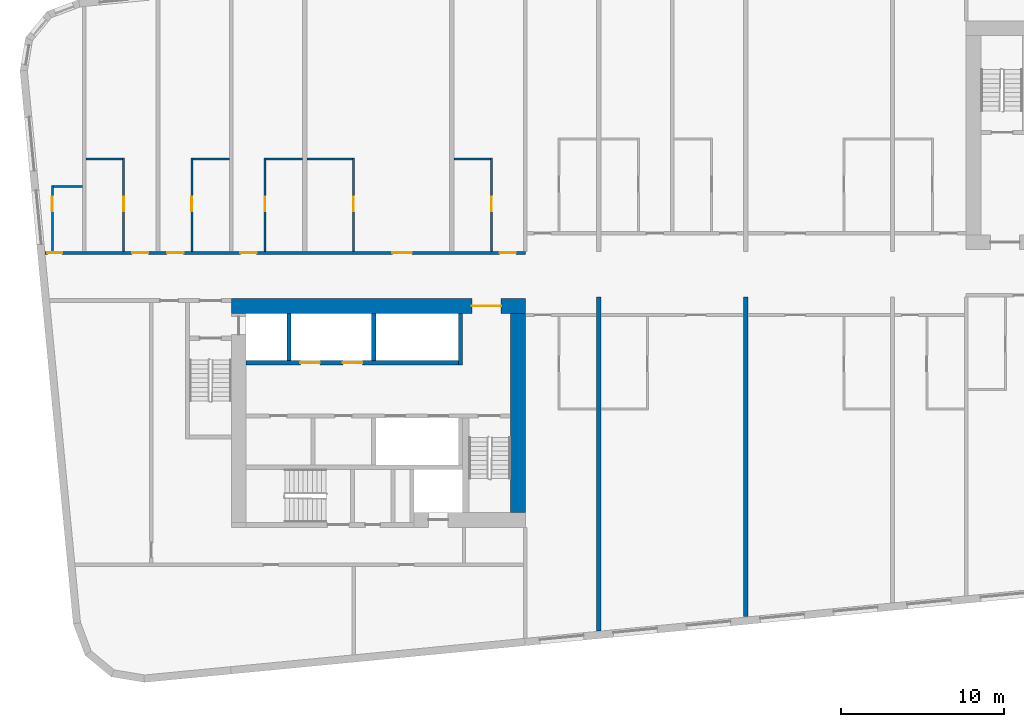
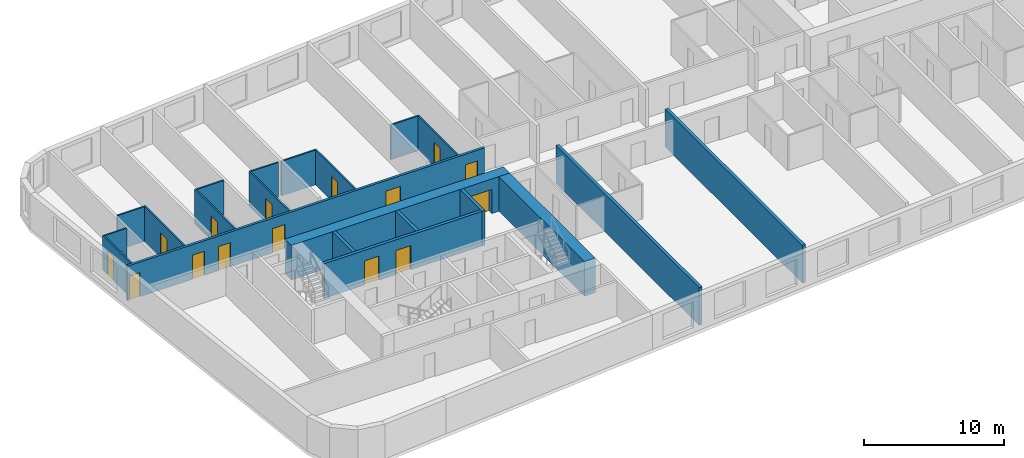
# One storey, part 3 of 12: 21 walls, 15 doors, 15 openings.
"""IFC4 building model written with IfcOpenShell, lengths in metres."""

from ifc_helpers import new_model, si_unit, direction, frame, frame_2d, origin, place, context, subcontext, project, spatial, rectangle, extrude, material, layer, layer_set, type_object, element, fill, save


model = new_model("IFC4")

# Units and contexts
model_context = context("Model", 3, precision=1e-05, world=origin(), true_north=direction((0.0, 1.0)))
body_context = subcontext(model_context, "Body", "Model", "MODEL_VIEW")
ifc_project = project(units=[si_unit("LENGTHUNIT", "METRE"), si_unit("AREAUNIT", "SQUARE_METRE"), si_unit("VOLUMEUNIT", "CUBIC_METRE"), si_unit("PLANEANGLEUNIT", "RADIAN"), si_unit("MASSUNIT", "GRAM", prefix="KILO")], contexts=[model_context])

# Site, building, storey
site_placement = place(None, origin())
site = spatial("IfcSite", under=ifc_project, at=site_placement, CompositionType="ELEMENT")
building_placement = place(site_placement, origin())
building = spatial("IfcBuilding", under=site, at=building_placement, Name="Kajstack Hotel Tower", CompositionType="ELEMENT")
storey_placement = place(building_placement, frame((0.0, 0.0, 170.199951171875)))
storey = spatial("IfcBuildingStorey", under=building, at=storey_placement, Name="L39", CompositionType="ELEMENT", Elevation=170.199951171875)

# Wall, opening, door
ifc_material_1 = material(Name="Concrete C60/75", Category="concrete")
ifc_layer_1 = layer(ifc_material_1, 0.89990234375)
ifc_layer_set_1 = layer_set([ifc_layer_1], Name="Core wall 900")
wall_type_1 = type_object("IfcWallType", Name="Core wall 900", PredefinedType="SHEAR", material=ifc_layer_set_1)
wall_1_placement = place(storey_placement, frame((-31.5, -1.949951171875, 0.0), z_axis=(0.0, 0.0, 1.0), x_axis=(1.0, 0.0, 0.0)))
wall_1 = element("IfcWall", 1, at=wall_1_placement, inside=storey, type_object=wall_type_1, Name="Core wall W RN", PredefinedType="SHEAR", context=body_context, shape_type="SweptSolid", body=[
    extrude(rectangle(XDim=18.0, YDim=0.89990234375, at=frame_2d((9.0, 0.0))), origin(), (0.0, 0.0, 1.0), 3.02001953125),
])
opening_1_placement = place(wall_1_placement, frame((14.72509765625, 0.0, 0.0)))
opening_1 = element("IfcOpeningElement", 2, at=opening_1_placement, cuts=wall_1, Name="Opening 39W07", PredefinedType="OPENING", context=body_context, shape_type="SweptSolid", body=[
    extrude(rectangle(XDim=1.800048828125, YDim=2.10009765625, at=frame_2d((0.89990234375, 1.050048828125))), frame((0.0, 0.4599609375, 0.0), z_axis=(0.0, -1.0, 0.0), x_axis=(1.0, 0.0, 0.0)), (0.0, 0.0, 1.0), 0.919921875),
])
ifc_material_2 = material(Name="Glazed steel frame, fire-rated glass", Category="steel")
door_type_1 = type_object("IfcDoorType", Name="Lobby double door 1800", OperationType="DOUBLE_DOOR_DOUBLE_SWING", PredefinedType="DOOR", material=ifc_material_2)
door_1_placement = place(opening_1_placement, origin())
door_1 = element("IfcDoor", 3, at=door_1_placement, inside=storey, type_object=door_type_1, Name="Door 39W07", OperationType="DOUBLE_DOOR_DOUBLE_SWING", OverallHeight=2.10009765625, OverallWidth=1.800048828125, PredefinedType="DOOR", context=body_context, shape_type="SweptSolid", body=[
    extrude(rectangle(XDim=1.800048828125, YDim=2.10009765625, at=frame_2d((0.89990234375, 1.050048828125))), frame((0.0, 0.02490234375, 0.0), z_axis=(0.0, -1.0, 0.0), x_axis=(1.0, 0.0, 0.0)), (0.0, 0.0, 1.0), 0.050048828125),
])
fill(opening_1, door_1)

# Wall
wall_2_placement = place(storey_placement, frame((-13.949951171875, -14.60009765625, 0.0), z_axis=(0.0, 0.0, 1.0), x_axis=(0.0, 1.0, 0.0)))
element("IfcWall", 4, at=wall_2_placement, inside=storey, type_object=wall_type_1, Name="Core wall W RE", PredefinedType="SHEAR", context=body_context, shape_type="SweptSolid", body=[
    extrude(rectangle(XDim=12.2001953125, YDim=0.89990234375, at=frame_2d((6.10009765625, 0.0))), origin(), (0.0, 0.0, 1.0), 3.02001953125),
])

# Wall, openings, doors
ifc_material_3 = material(Name="Gypsum board on steel studs, mineral wool", Category="steel")
ifc_layer_2 = layer(ifc_material_3, 0.199951171875)
ifc_layer_set_2 = layer_set([ifc_layer_2], Name="Corridor wall 200")
wall_type_2 = type_object("IfcWallType", Name="Corridor wall 200", PredefinedType="PARTITIONING", material=ifc_layer_set_2)
wall_3_placement = place(storey_placement, frame((-42.9130859375, 1.300048828125, 0.0), z_axis=(0.0, 0.0, 1.0), x_axis=(1.0, 0.0, 0.0)))
wall_3 = element("IfcWall", 5, at=wall_3_placement, inside=storey, type_object=wall_type_2, Name="G-wall-L39-003", PredefinedType="PARTITIONING", context=body_context, shape_type="SweptSolid", body=[
    extrude(rectangle(XDim=29.4130859375, YDim=0.199951171875, at=frame_2d((14.70654296875, 0.0))), origin(), (0.0, 0.0, 1.0), 3.02001953125),
])
opening_2_placement = place(wall_3_placement, frame((0.14990234375, 0.0, 0.0)))
opening_2 = element("IfcOpeningElement", 6, at=opening_2_placement, cuts=wall_3, Name="Opening 39001", PredefinedType="OPENING", context=body_context, shape_type="SweptSolid", body=[
    extrude(rectangle(XDim=0.89990234375, YDim=2.10009765625, at=frame_2d((0.449951171875, 1.050048828125))), frame((0.0, 0.10986328125, 0.0), z_axis=(0.0, -1.0, 0.0), x_axis=(1.0, 0.0, 0.0)), (0.0, 0.0, 1.0), 0.219970703125),
])
opening_3_placement = place(wall_3_placement, frame((5.337890625, 0.0, 0.0)))
opening_3 = element("IfcOpeningElement", 7, at=opening_3_placement, cuts=wall_3, Name="Opening 39003", PredefinedType="OPENING", context=body_context, shape_type="SweptSolid", body=[
    extrude(rectangle(XDim=1.0, YDim=2.10009765625, at=frame_2d((0.5, 1.050048828125))), frame((0.0, 0.10986328125, 0.0), z_axis=(0.0, -1.0, 0.0), x_axis=(1.0, 0.0, 0.0)), (0.0, 0.0, 1.0), 0.219970703125),
])
opening_4_placement = place(wall_3_placement, frame((7.488037109375, 0.0, 0.0)))
opening_4 = element("IfcOpeningElement", 8, at=opening_4_placement, cuts=wall_3, Name="Opening 39005", PredefinedType="OPENING", context=body_context, shape_type="SweptSolid", body=[
    extrude(rectangle(XDim=1.0, YDim=2.10009765625, at=frame_2d((0.5, 1.050048828125))), frame((0.0, 0.10986328125, 0.0), z_axis=(0.0, -1.0, 0.0), x_axis=(1.0, 0.0, 0.0)), (0.0, 0.0, 1.0), 0.219970703125),
])
opening_5_placement = place(wall_3_placement, frame((11.962890625, 0.0, 0.0)))
opening_5 = element("IfcOpeningElement", 9, at=opening_5_placement, cuts=wall_3, Name="Opening 39007", PredefinedType="OPENING", context=body_context, shape_type="SweptSolid", body=[
    extrude(rectangle(XDim=1.0, YDim=2.10009765625, at=frame_2d((0.5, 1.050048828125))), frame((0.0, 0.10986328125, 0.0), z_axis=(0.0, -1.0, 0.0), x_axis=(1.0, 0.0, 0.0)), (0.0, 0.0, 1.0), 0.219970703125),
])
opening_6_placement = place(wall_3_placement, frame((21.27490234375, 0.0, 0.0)))
opening_6 = element("IfcOpeningElement", 10, at=opening_6_placement, cuts=wall_3, Name="Opening 39009", PredefinedType="OPENING", context=body_context, shape_type="SweptSolid", body=[
    extrude(rectangle(XDim=1.199951171875, YDim=2.10009765625, at=frame_2d((0.60009765625, 1.050048828125))), frame((0.0, 0.10986328125, 0.0), z_axis=(0.0, -1.0, 0.0), x_axis=(1.0, 0.0, 0.0)), (0.0, 0.0, 1.0), 0.219970703125),
])
opening_7_placement = place(wall_3_placement, frame((27.837890625, 0.0, 0.0)))
opening_7 = element("IfcOpeningElement", 11, at=opening_7_placement, cuts=wall_3, Name="Opening 39011", PredefinedType="OPENING", context=body_context, shape_type="SweptSolid", body=[
    extrude(rectangle(XDim=1.0, YDim=2.10009765625, at=frame_2d((0.5, 1.050048828125))), frame((0.0, 0.10986328125, 0.0), z_axis=(0.0, -1.0, 0.0), x_axis=(1.0, 0.0, 0.0)), (0.0, 0.0, 1.0), 0.219970703125),
])
ifc_material_4 = material(Name="Oak veneer on timber core, fire-rated leaf", Category="wood")
door_type_2 = type_object("IfcDoorType", Name="Flat entrance door 1000", OperationType="SINGLE_SWING_LEFT", PredefinedType="DOOR", material=ifc_material_4)
door_2_placement = place(opening_3_placement, origin())
door_2 = element("IfcDoor", 12, at=door_2_placement, inside=storey, type_object=door_type_2, Name="G-door-L39-03", OperationType="SINGLE_SWING_LEFT", OverallHeight=2.10009765625, OverallWidth=1.0, PredefinedType="DOOR", context=body_context, shape_type="SweptSolid", body=[
    extrude(rectangle(XDim=1.0, YDim=2.10009765625, at=frame_2d((0.5, 1.050048828125))), frame((0.0, 0.02490234375, 0.0), z_axis=(0.0, -1.0, 0.0), x_axis=(1.0, 0.0, 0.0)), (0.0, 0.0, 1.0), 0.050048828125),
])
fill(opening_3, door_2)
door_3_placement = place(opening_4_placement, origin())
door_3 = element("IfcDoor", 13, at=door_3_placement, inside=storey, type_object=door_type_2, Name="G-door-L39-05", OperationType="SINGLE_SWING_RIGHT", OverallHeight=2.10009765625, OverallWidth=1.0, PredefinedType="DOOR", context=body_context, shape_type="SweptSolid", body=[
    extrude(rectangle(XDim=1.0, YDim=2.10009765625, at=frame_2d((0.5, 1.050048828125))), frame((0.0, 0.02490234375, 0.0), z_axis=(0.0, -1.0, 0.0), x_axis=(1.0, 0.0, 0.0)), (0.0, 0.0, 1.0), 0.050048828125),
])
fill(opening_4, door_3)
door_4_placement = place(opening_5_placement, origin())
door_4 = element("IfcDoor", 14, at=door_4_placement, inside=storey, type_object=door_type_2, Name="G-door-L39-07", OperationType="SINGLE_SWING_LEFT", OverallHeight=2.10009765625, OverallWidth=1.0, PredefinedType="DOOR", context=body_context, shape_type="SweptSolid", body=[
    extrude(rectangle(XDim=1.0, YDim=2.10009765625, at=frame_2d((0.5, 1.050048828125))), frame((0.0, 0.02490234375, 0.0), z_axis=(0.0, -1.0, 0.0), x_axis=(1.0, 0.0, 0.0)), (0.0, 0.0, 1.0), 0.050048828125),
])
fill(opening_5, door_4)
door_5_placement = place(opening_7_placement, origin())
door_5 = element("IfcDoor", 15, at=door_5_placement, inside=storey, type_object=door_type_2, Name="G-door-L39-11", OperationType="SINGLE_SWING_LEFT", OverallHeight=2.10009765625, OverallWidth=1.0, PredefinedType="DOOR", context=body_context, shape_type="SweptSolid", body=[
    extrude(rectangle(XDim=1.0, YDim=2.10009765625, at=frame_2d((0.5, 1.050048828125))), frame((0.0, 0.02490234375, 0.0), z_axis=(0.0, -1.0, 0.0), x_axis=(1.0, 0.0, 0.0)), (0.0, 0.0, 1.0), 0.050048828125),
])
fill(opening_7, door_5)
door_type_3 = type_object("IfcDoorType", Name="Flat entrance door 1200", OperationType="SINGLE_SWING_LEFT", PredefinedType="DOOR", material=ifc_material_4)
door_6_placement = place(opening_6_placement, origin())
door_6 = element("IfcDoor", 16, at=door_6_placement, inside=storey, type_object=door_type_3, Name="G-door-L39-09", OperationType="SINGLE_SWING_LEFT", OverallHeight=2.10009765625, OverallWidth=1.199951171875, PredefinedType="DOOR", context=body_context, shape_type="SweptSolid", body=[
    extrude(rectangle(XDim=1.199951171875, YDim=2.10009765625, at=frame_2d((0.60009765625, 1.050048828125))), frame((0.0, 0.02490234375, 0.0), z_axis=(0.0, -1.0, 0.0), x_axis=(1.0, 0.0, 0.0)), (0.0, 0.0, 1.0), 0.050048828125),
])
fill(opening_6, door_6)
ifc_material_5 = material(Name="Painted timber door leaf", Category="wood")
door_type_4 = type_object("IfcDoorType", Name="Room door 900", OperationType="SINGLE_SWING_LEFT", PredefinedType="DOOR", material=ifc_material_5)
door_7_placement = place(opening_2_placement, origin())
door_7 = element("IfcDoor", 17, at=door_7_placement, inside=storey, type_object=door_type_4, Name="G-door-L39-01", OperationType="SINGLE_SWING_RIGHT", OverallHeight=2.10009765625, OverallWidth=0.89990234375, PredefinedType="DOOR", context=body_context, shape_type="SweptSolid", body=[
    extrude(rectangle(XDim=0.89990234375, YDim=2.10009765625, at=frame_2d((0.449951171875, 1.050048828125))), frame((0.0, 0.02490234375, 0.0), z_axis=(0.0, -1.0, 0.0), x_axis=(1.0, 0.0, 0.0)), (0.0, 0.0, 1.0), 0.050048828125),
])
fill(opening_2, door_7)

# Wall, opening, door
ifc_material_6 = material(Name="Gypsum board and tiled backer on steel studs", Category="steel")
ifc_layer_3 = layer(ifc_material_6, 0.125)
ifc_layer_set_3 = layer_set([ifc_layer_3], Name="En-suite wall 125")
wall_type_3 = type_object("IfcWallType", Name="En-suite wall 125", PredefinedType="PARTITIONING", material=ifc_layer_set_3)
wall_4_placement = place(storey_placement, frame((-42.4619140625, 1.39990234375, 0.0), z_axis=(0.0, 0.0, 1.0), x_axis=(0.0, 1.0, 0.0)))
wall_4 = element("IfcWall", 18, at=wall_4_placement, inside=storey, type_object=wall_type_3, Name="G-wall-L39-006", PredefinedType="PARTITIONING", context=body_context, shape_type="SweptSolid", body=[
    extrude(rectangle(XDim=4.028076171875, YDim=0.125, at=frame_2d((2.01416015625, 0.0))), origin(), (0.0, 0.0, 1.0), 3.02001953125),
])
opening_8_placement = place(wall_4_placement, frame((2.449951171875, 0.0, 0.0)))
opening_8 = element("IfcOpeningElement", 19, at=opening_8_placement, cuts=wall_4, Name="Opening 39002", PredefinedType="OPENING", context=body_context, shape_type="SweptSolid", body=[
    extrude(rectangle(XDim=0.89990234375, YDim=2.10009765625, at=frame_2d((0.449951171875, 1.050048828125))), frame((0.0, 0.072509765625, 0.0), z_axis=(0.0, -1.0, 0.0), x_axis=(1.0, 0.0, 0.0)), (0.0, 0.0, 1.0), 0.14501953125),
])
door_8_placement = place(opening_8_placement, origin())
door_8 = element("IfcDoor", 20, at=door_8_placement, inside=storey, type_object=door_type_4, Name="G-door-L39-02", OperationType="SINGLE_SWING_LEFT", OverallHeight=2.10009765625, OverallWidth=0.89990234375, PredefinedType="DOOR", context=body_context, shape_type="SweptSolid", body=[
    extrude(rectangle(XDim=0.89990234375, YDim=2.10009765625, at=frame_2d((0.449951171875, 1.050048828125))), frame((0.0, 0.02490234375, 0.0), z_axis=(0.0, -1.0, 0.0), x_axis=(1.0, 0.0, 0.0)), (0.0, 0.0, 1.0), 0.050048828125),
])
fill(opening_8, door_8)

# Wall
wall_5_placement = place(storey_placement, frame((-42.39990234375, 5.365966796875, 0.0), z_axis=(0.0, 0.0, 1.0), x_axis=(1.0, 0.0, 0.0)))
element("IfcWall", 21, at=wall_5_placement, inside=storey, type_object=wall_type_3, Name="G-wall-L39-007", PredefinedType="PARTITIONING", context=body_context, shape_type="SweptSolid", body=[
    extrude(rectangle(XDim=1.7998046875, YDim=0.125, at=frame_2d((0.89990234375, 0.0))), origin(), (0.0, 0.0, 1.0), 3.02001953125),
])

# Wall, opening, door
wall_6_placement = place(storey_placement, frame((-38.0869140625, 1.39990234375, 0.0), z_axis=(0.0, 0.0, 1.0), x_axis=(0.0, 1.0, 0.0)))
wall_6 = element("IfcWall", 22, at=wall_6_placement, inside=storey, type_object=wall_type_3, Name="G-wall-L39-008", PredefinedType="PARTITIONING", context=body_context, shape_type="SweptSolid", body=[
    extrude(rectangle(XDim=5.72509765625, YDim=0.125, at=frame_2d((2.862548828125, 0.0))), origin(), (0.0, 0.0, 1.0), 3.02001953125),
])
opening_9_placement = place(wall_6_placement, frame((2.449951171875, 0.0, 0.0)))
opening_9 = element("IfcOpeningElement", 23, at=opening_9_placement, cuts=wall_6, Name="Opening 39004", PredefinedType="OPENING", context=body_context, shape_type="SweptSolid", body=[
    extrude(rectangle(XDim=0.89990234375, YDim=2.10009765625, at=frame_2d((0.449951171875, 1.050048828125))), frame((0.0, 0.072509765625, 0.0), z_axis=(0.0, -1.0, 0.0), x_axis=(1.0, 0.0, 0.0)), (0.0, 0.0, 1.0), 0.14501953125),
])
door_9_placement = place(opening_9_placement, origin())
door_9 = element("IfcDoor", 24, at=door_9_placement, inside=storey, type_object=door_type_4, Name="G-door-L39-04", OperationType="SINGLE_SWING_LEFT", OverallHeight=2.10009765625, OverallWidth=0.89990234375, PredefinedType="DOOR", context=body_context, shape_type="SweptSolid", body=[
    extrude(rectangle(XDim=0.89990234375, YDim=2.10009765625, at=frame_2d((0.449951171875, 1.050048828125))), frame((0.0, 0.02490234375, 0.0), z_axis=(0.0, -1.0, 0.0), x_axis=(1.0, 0.0, 0.0)), (0.0, 0.0, 1.0), 0.050048828125),
])
fill(opening_9, door_9)

# Wall
wall_7_placement = place(storey_placement, frame((-40.39990234375, 7.06201171875, 0.0), z_axis=(0.0, 0.0, 1.0), x_axis=(1.0, 0.0, 0.0)))
element("IfcWall", 25, at=wall_7_placement, inside=storey, type_object=wall_type_3, Name="G-wall-L39-009", PredefinedType="PARTITIONING", context=body_context, shape_type="SweptSolid", body=[
    extrude(rectangle(XDim=2.25, YDim=0.125, at=frame_2d((1.125, 0.0))), origin(), (0.0, 0.0, 1.0), 3.02001953125),
])

# Wall, opening, door
wall_8_placement = place(storey_placement, frame((-33.9130859375, 1.39990234375, 0.0), z_axis=(0.0, 0.0, 1.0), x_axis=(0.0, 1.0, 0.0)))
wall_8 = element("IfcWall", 26, at=wall_8_placement, inside=storey, type_object=wall_type_3, Name="G-wall-L39-011", PredefinedType="PARTITIONING", context=body_context, shape_type="SweptSolid", body=[
    extrude(rectangle(XDim=5.72509765625, YDim=0.125, at=frame_2d((2.862548828125, 0.0))), origin(), (0.0, 0.0, 1.0), 3.02001953125),
])
opening_10_placement = place(wall_8_placement, frame((2.449951171875, 0.0, 0.0)))
opening_10 = element("IfcOpeningElement", 27, at=opening_10_placement, cuts=wall_8, Name="Opening 39006", PredefinedType="OPENING", context=body_context, shape_type="SweptSolid", body=[
    extrude(rectangle(XDim=0.89990234375, YDim=2.10009765625, at=frame_2d((0.449951171875, 1.050048828125))), frame((0.0, 0.072509765625, 0.0), z_axis=(0.0, -1.0, 0.0), x_axis=(1.0, 0.0, 0.0)), (0.0, 0.0, 1.0), 0.14501953125),
])
door_10_placement = place(opening_10_placement, origin())
door_10 = element("IfcDoor", 28, at=door_10_placement, inside=storey, type_object=door_type_4, Name="G-door-L39-06", OperationType="SINGLE_SWING_RIGHT", OverallHeight=2.10009765625, OverallWidth=0.89990234375, PredefinedType="DOOR", context=body_context, shape_type="SweptSolid", body=[
    extrude(rectangle(XDim=0.89990234375, YDim=2.10009765625, at=frame_2d((0.449951171875, 1.050048828125))), frame((0.0, 0.02490234375, 0.0), z_axis=(0.0, -1.0, 0.0), x_axis=(1.0, 0.0, 0.0)), (0.0, 0.0, 1.0), 0.050048828125),
])
fill(opening_10, door_10)

# Wall
wall_9_placement = place(storey_placement, frame((-33.85009765625, 7.06201171875, 0.0), z_axis=(0.0, 0.0, 1.0), x_axis=(1.0, 0.0, 0.0)))
element("IfcWall", 29, at=wall_9_placement, inside=storey, type_object=wall_type_3, Name="G-wall-L39-012", PredefinedType="PARTITIONING", context=body_context, shape_type="SweptSolid", body=[
    extrude(rectangle(XDim=2.25, YDim=0.125, at=frame_2d((1.125, 0.0))), origin(), (0.0, 0.0, 1.0), 3.02001953125),
])

# Wall, opening, door
wall_10_placement = place(storey_placement, frame((-29.43798828125, 1.39990234375, 0.0), z_axis=(0.0, 0.0, 1.0), x_axis=(0.0, 1.0, 0.0)))
wall_10 = element("IfcWall", 30, at=wall_10_placement, inside=storey, type_object=wall_type_3, Name="G-wall-L39-013", PredefinedType="PARTITIONING", context=body_context, shape_type="SweptSolid", body=[
    extrude(rectangle(XDim=5.72509765625, YDim=0.125, at=frame_2d((2.862548828125, 0.0))), origin(), (0.0, 0.0, 1.0), 3.02001953125),
])
opening_11_placement = place(wall_10_placement, frame((2.449951171875, 0.0, 0.0)))
opening_11 = element("IfcOpeningElement", 31, at=opening_11_placement, cuts=wall_10, Name="Opening 39008", PredefinedType="OPENING", context=body_context, shape_type="SweptSolid", body=[
    extrude(rectangle(XDim=0.89990234375, YDim=2.10009765625, at=frame_2d((0.449951171875, 1.050048828125))), frame((0.0, 0.072509765625, 0.0), z_axis=(0.0, -1.0, 0.0), x_axis=(1.0, 0.0, 0.0)), (0.0, 0.0, 1.0), 0.14501953125),
])
door_11_placement = place(opening_11_placement, origin())
door_11 = element("IfcDoor", 32, at=door_11_placement, inside=storey, type_object=door_type_4, Name="G-door-L39-08", OperationType="SINGLE_SWING_RIGHT", OverallHeight=2.10009765625, OverallWidth=0.89990234375, PredefinedType="DOOR", context=body_context, shape_type="SweptSolid", body=[
    extrude(rectangle(XDim=0.89990234375, YDim=2.10009765625, at=frame_2d((0.449951171875, 1.050048828125))), frame((0.0, 0.02490234375, 0.0), z_axis=(0.0, -1.0, 0.0), x_axis=(1.0, 0.0, 0.0)), (0.0, 0.0, 1.0), 0.050048828125),
])
fill(opening_11, door_11)

# Wall
wall_11_placement = place(storey_placement, frame((-29.375, 7.06201171875, 0.0), z_axis=(0.0, 0.0, 1.0), x_axis=(1.0, 0.0, 0.0)))
element("IfcWall", 33, at=wall_11_placement, inside=storey, type_object=wall_type_3, Name="G-wall-L39-014", PredefinedType="PARTITIONING", context=body_context, shape_type="SweptSolid", body=[
    extrude(rectangle(XDim=2.25, YDim=0.125, at=frame_2d((1.125, 0.0))), origin(), (0.0, 0.0, 1.0), 3.02001953125),
])

# Wall, opening, door
wall_12_placement = place(storey_placement, frame((-24.011962890625, 1.39990234375, 0.0), z_axis=(0.0, 0.0, 1.0), x_axis=(0.0, 1.0, 0.0)))
wall_12 = element("IfcWall", 34, at=wall_12_placement, inside=storey, type_object=wall_type_3, Name="G-wall-L39-015", PredefinedType="PARTITIONING", context=body_context, shape_type="SweptSolid", body=[
    extrude(rectangle(XDim=5.72509765625, YDim=0.125, at=frame_2d((2.862548828125, 0.0))), origin(), (0.0, 0.0, 1.0), 3.02001953125),
])
opening_12_placement = place(wall_12_placement, frame((2.449951171875, 0.0, 0.0)))
opening_12 = element("IfcOpeningElement", 35, at=opening_12_placement, cuts=wall_12, Name="Opening 39010", PredefinedType="OPENING", context=body_context, shape_type="SweptSolid", body=[
    extrude(rectangle(XDim=0.89990234375, YDim=2.10009765625, at=frame_2d((0.449951171875, 1.050048828125))), frame((0.0, 0.072509765625, 0.0), z_axis=(0.0, -1.0, 0.0), x_axis=(1.0, 0.0, 0.0)), (0.0, 0.0, 1.0), 0.14501953125),
])
door_12_placement = place(opening_12_placement, origin())
door_12 = element("IfcDoor", 36, at=door_12_placement, inside=storey, type_object=door_type_4, Name="G-door-L39-10", OperationType="SINGLE_SWING_RIGHT", OverallHeight=2.10009765625, OverallWidth=0.89990234375, PredefinedType="DOOR", context=body_context, shape_type="SweptSolid", body=[
    extrude(rectangle(XDim=0.89990234375, YDim=2.10009765625, at=frame_2d((0.449951171875, 1.050048828125))), frame((0.0, 0.02490234375, 0.0), z_axis=(0.0, -1.0, 0.0), x_axis=(1.0, 0.0, 0.0)), (0.0, 0.0, 1.0), 0.050048828125),
])
fill(opening_12, door_12)

# Wall
wall_13_placement = place(storey_placement, frame((-26.875, 7.06201171875, 0.0), z_axis=(0.0, 0.0, 1.0), x_axis=(1.0, 0.0, 0.0)))
element("IfcWall", 37, at=wall_13_placement, inside=storey, type_object=wall_type_3, Name="G-wall-L39-016", PredefinedType="PARTITIONING", context=body_context, shape_type="SweptSolid", body=[
    extrude(rectangle(XDim=2.800048828125, YDim=0.125, at=frame_2d((1.39990234375, 0.0))), origin(), (0.0, 0.0, 1.0), 3.02001953125),
])

# Wall, opening, door
wall_14_placement = place(storey_placement, frame((-15.56201171875, 1.39990234375, 0.0), z_axis=(0.0, 0.0, 1.0), x_axis=(0.0, 1.0, 0.0)))
wall_14 = element("IfcWall", 38, at=wall_14_placement, inside=storey, type_object=wall_type_3, Name="G-wall-L39-018", PredefinedType="PARTITIONING", context=body_context, shape_type="SweptSolid", body=[
    extrude(rectangle(XDim=5.72509765625, YDim=0.125, at=frame_2d((2.862548828125, 0.0))), origin(), (0.0, 0.0, 1.0), 3.02001953125),
])
opening_13_placement = place(wall_14_placement, frame((2.449951171875, 0.0, 0.0)))
opening_13 = element("IfcOpeningElement", 39, at=opening_13_placement, cuts=wall_14, Name="Opening 39012", PredefinedType="OPENING", context=body_context, shape_type="SweptSolid", body=[
    extrude(rectangle(XDim=0.89990234375, YDim=2.10009765625, at=frame_2d((0.449951171875, 1.050048828125))), frame((0.0, 0.072509765625, 0.0), z_axis=(0.0, -1.0, 0.0), x_axis=(1.0, 0.0, 0.0)), (0.0, 0.0, 1.0), 0.14501953125),
])
door_13_placement = place(opening_13_placement, origin())
door_13 = element("IfcDoor", 40, at=door_13_placement, inside=storey, type_object=door_type_4, Name="G-door-L39-12", OperationType="SINGLE_SWING_RIGHT", OverallHeight=2.10009765625, OverallWidth=0.89990234375, PredefinedType="DOOR", context=body_context, shape_type="SweptSolid", body=[
    extrude(rectangle(XDim=0.89990234375, YDim=2.10009765625, at=frame_2d((0.449951171875, 1.050048828125))), frame((0.0, 0.02490234375, 0.0), z_axis=(0.0, -1.0, 0.0), x_axis=(1.0, 0.0, 0.0)), (0.0, 0.0, 1.0), 0.050048828125),
])
fill(opening_13, door_13)

# Walls
wall_15_placement = place(storey_placement, frame((-17.875, 7.06201171875, 0.0), z_axis=(0.0, 0.0, 1.0), x_axis=(1.0, 0.0, 0.0)))
element("IfcWall", 41, at=wall_15_placement, inside=storey, type_object=wall_type_3, Name="G-wall-L39-019", PredefinedType="PARTITIONING", context=body_context, shape_type="SweptSolid", body=[
    extrude(rectangle(XDim=2.25, YDim=0.125, at=frame_2d((1.125, 0.0))), origin(), (0.0, 0.0, 1.0), 3.02001953125),
])
ifc_material_7 = material(Name="Concrete C50/60", Category="concrete")
ifc_layer_4 = layer(ifc_material_7, 0.300048828125)
ifc_layer_set_4 = layer_set([ifc_layer_4], Name="Hoistway divider wall 300")
wall_type_4 = type_object("IfcWallType", Name="Hoistway divider wall 300", PredefinedType="SHEAR", material=ifc_layer_set_4)
wall_16_placement = place(storey_placement, frame((-22.77490234375, -5.300048828125, 0.0), z_axis=(0.0, 0.0, 1.0), x_axis=(0.0, 1.0, 0.0)))
element("IfcWall", 42, at=wall_16_placement, inside=storey, type_object=wall_type_4, Name="Core wall W AP2", PredefinedType="SHEAR", context=body_context, shape_type="SweptSolid", body=[
    extrude(rectangle(XDim=2.900146484375, YDim=0.25, at=frame_2d((1.4501953125, 0.0))), origin(), (0.0, 0.0, 1.0), 3.02001953125),
])
ifc_layer_5 = layer(ifc_material_7, 0.25)
ifc_layer_set_5 = layer_set([ifc_layer_5], Name="RC cross wall 250 C50/60")
wall_type_5 = type_object("IfcWallType", Name="RC cross wall 250 C50/60", PredefinedType="SHEAR", material=ifc_layer_set_5)
wall_17_placement = place(storey_placement, frame((-9.0, -21.84521484375, 0.0), z_axis=(0.0, 0.0, 1.0), x_axis=(0.0, 1.0, 0.0)))
element("IfcWall", 43, at=wall_17_placement, inside=storey, type_object=wall_type_5, Name="S-wall-L39-04", PredefinedType="SHEAR", context=body_context, shape_type="SweptSolid", body=[
    extrude(rectangle(XDim=20.4453125, YDim=0.25, at=frame_2d((10.22265625, 0.0))), origin(), (0.0, 0.0, 1.0), 3.300048828125),
])
wall_18_placement = place(storey_placement, frame((0.0, -20.978515625, 0.0), z_axis=(0.0, 0.0, 1.0), x_axis=(0.0, 1.0, 0.0)))
element("IfcWall", 44, at=wall_18_placement, inside=storey, type_object=wall_type_5, Name="S-wall-L39-06", PredefinedType="SHEAR", context=body_context, shape_type="SweptSolid", body=[
    extrude(rectangle(XDim=19.57861328125, YDim=0.25, at=frame_2d((9.789306640625, 0.0))), origin(), (0.0, 0.0, 1.0), 3.300048828125),
])

# Wall, openings, doors
ifc_layer_6 = layer(ifc_material_7, 0.25)
ifc_layer_set_6 = layer_set([ifc_layer_6], Name="Shaft wall 250")
wall_type_6 = type_object("IfcWallType", Name="Shaft wall 250", PredefinedType="SHEAR", material=ifc_layer_set_6)
wall_19_placement = place(storey_placement, frame((-30.60009765625, -5.425048828125, 0.0), z_axis=(0.0, 0.0, 1.0), x_axis=(1.0, 0.0, 0.0)))
wall_19 = element("IfcWall", 45, at=wall_19_placement, inside=storey, type_object=wall_type_6, Name="Core wall W FA", PredefinedType="SHEAR", context=body_context, shape_type="SweptSolid", body=[
    extrude(rectangle(XDim=13.0, YDim=0.25, at=frame_2d((6.5, 0.0))), origin(), (0.0, 0.0, 1.0), 3.02001953125),
])
opening_14_placement = place(wall_19_placement, frame((3.324951171875, 0.0, 0.0)))
opening_14 = element("IfcOpeningElement", 46, at=opening_14_placement, cuts=wall_19, Name="Opening LD-MR3", PredefinedType="OPENING", context=body_context, shape_type="SweptSolid", body=[
    extrude(rectangle(XDim=1.199951171875, YDim=2.10009765625, at=frame_2d((0.60009765625, 1.050048828125))), frame((0.0, 0.135009765625, 0.0), z_axis=(0.0, -1.0, 0.0), x_axis=(1.0, 0.0, 0.0)), (0.0, 0.0, 1.0), 0.27001953125),
])
opening_15_placement = place(wall_19_placement, frame((5.925048828125, 0.0, 0.0)))
opening_15 = element("IfcOpeningElement", 47, at=opening_15_placement, cuts=wall_19, Name="Opening LD-MR4", PredefinedType="OPENING", context=body_context, shape_type="SweptSolid", body=[
    extrude(rectangle(XDim=1.199951171875, YDim=2.10009765625, at=frame_2d((0.60009765625, 1.050048828125))), frame((0.0, 0.135009765625, 0.0), z_axis=(0.0, -1.0, 0.0), x_axis=(1.0, 0.0, 0.0)), (0.0, 0.0, 1.0), 0.27001953125),
])
ifc_material_8 = material(Name="Stainless steel", Category="steel")
door_type_5 = type_object("IfcDoorType", Name="Lift landing door 1200", OperationType="SLIDING_TO_LEFT", PredefinedType="DOOR", material=ifc_material_8)
door_14_placement = place(opening_14_placement, origin())
door_14 = element("IfcDoor", 48, at=door_14_placement, inside=storey, type_object=door_type_5, Name="Landing door MR3", OperationType="SLIDING_TO_RIGHT", OverallHeight=2.10009765625, OverallWidth=1.199951171875, PredefinedType="DOOR", context=body_context, shape_type="SweptSolid", body=[
    extrude(rectangle(XDim=1.199951171875, YDim=2.10009765625, at=frame_2d((0.60009765625, 1.050048828125))), frame((0.0, 0.02490234375, 0.0), z_axis=(0.0, -1.0, 0.0), x_axis=(1.0, 0.0, 0.0)), (0.0, 0.0, 1.0), 0.050048828125),
])
fill(opening_14, door_14)
door_15_placement = place(opening_15_placement, origin())
door_15 = element("IfcDoor", 49, at=door_15_placement, inside=storey, type_object=door_type_5, Name="Landing door MR4", OperationType="SLIDING_TO_RIGHT", OverallHeight=2.10009765625, OverallWidth=1.199951171875, PredefinedType="DOOR", context=body_context, shape_type="SweptSolid", body=[
    extrude(rectangle(XDim=1.199951171875, YDim=2.10009765625, at=frame_2d((0.60009765625, 1.050048828125))), frame((0.0, 0.02490234375, 0.0), z_axis=(0.0, -1.0, 0.0), x_axis=(1.0, 0.0, 0.0)), (0.0, 0.0, 1.0), 0.050048828125),
])
fill(opening_15, door_15)

# Walls
wall_20_placement = place(storey_placement, frame((-17.47509765625, -5.550048828125, 0.0), z_axis=(0.0, 0.0, 1.0), x_axis=(0.0, 1.0, 0.0)))
element("IfcWall", 50, at=wall_20_placement, inside=storey, type_object=wall_type_6, Name="Core wall W AE", PredefinedType="SHEAR", context=body_context, shape_type="SweptSolid", body=[
    extrude(rectangle(XDim=3.150146484375, YDim=0.25, at=frame_2d((1.5751953125, 0.0))), origin(), (0.0, 0.0, 1.0), 3.02001953125),
])
wall_21_placement = place(storey_placement, frame((-27.97509765625, -5.300048828125, 0.0), z_axis=(0.0, 0.0, 1.0), x_axis=(0.0, 1.0, 0.0)))
element("IfcWall", 51, at=wall_21_placement, inside=storey, type_object=wall_type_6, Name="Core wall W AP0", PredefinedType="SHEAR", context=body_context, shape_type="SweptSolid", body=[
    extrude(rectangle(XDim=2.900146484375, YDim=0.25, at=frame_2d((1.4501953125, 0.0))), origin(), (0.0, 0.0, 1.0), 3.02001953125),
])

save(model, "model.ifc")
